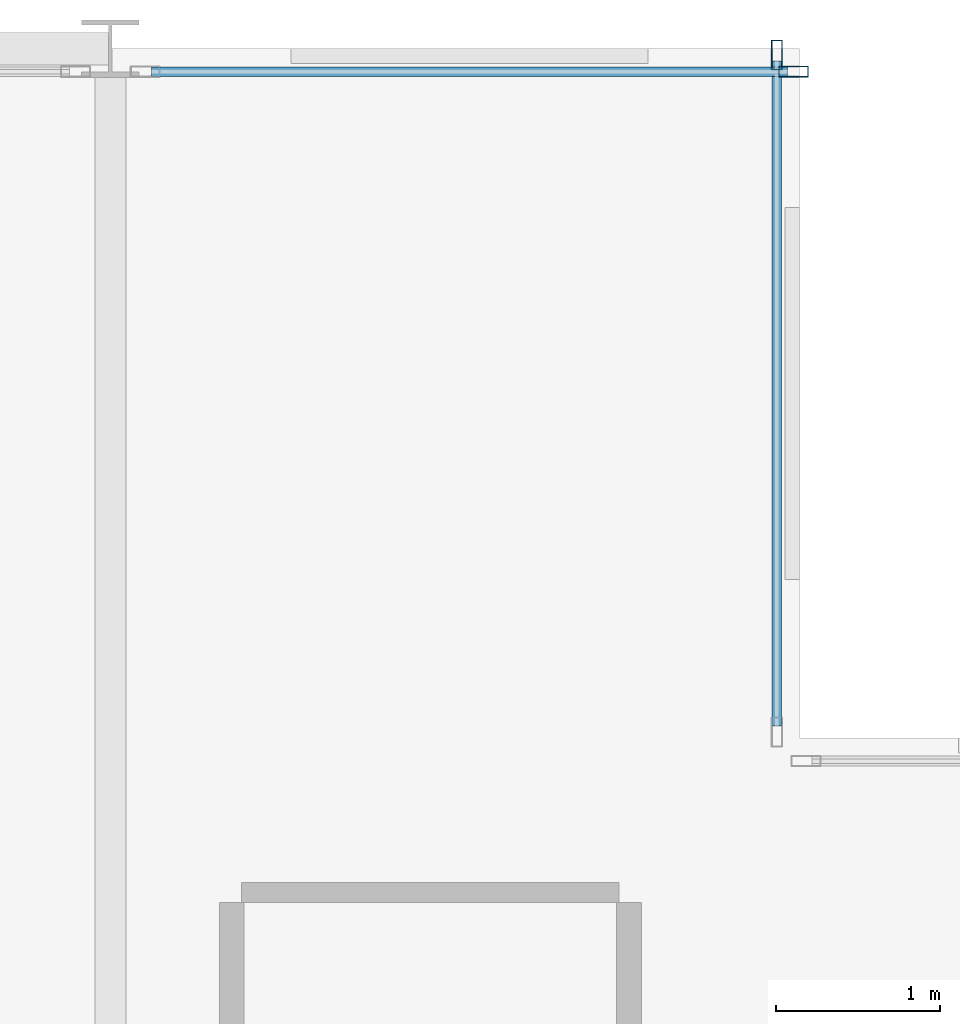
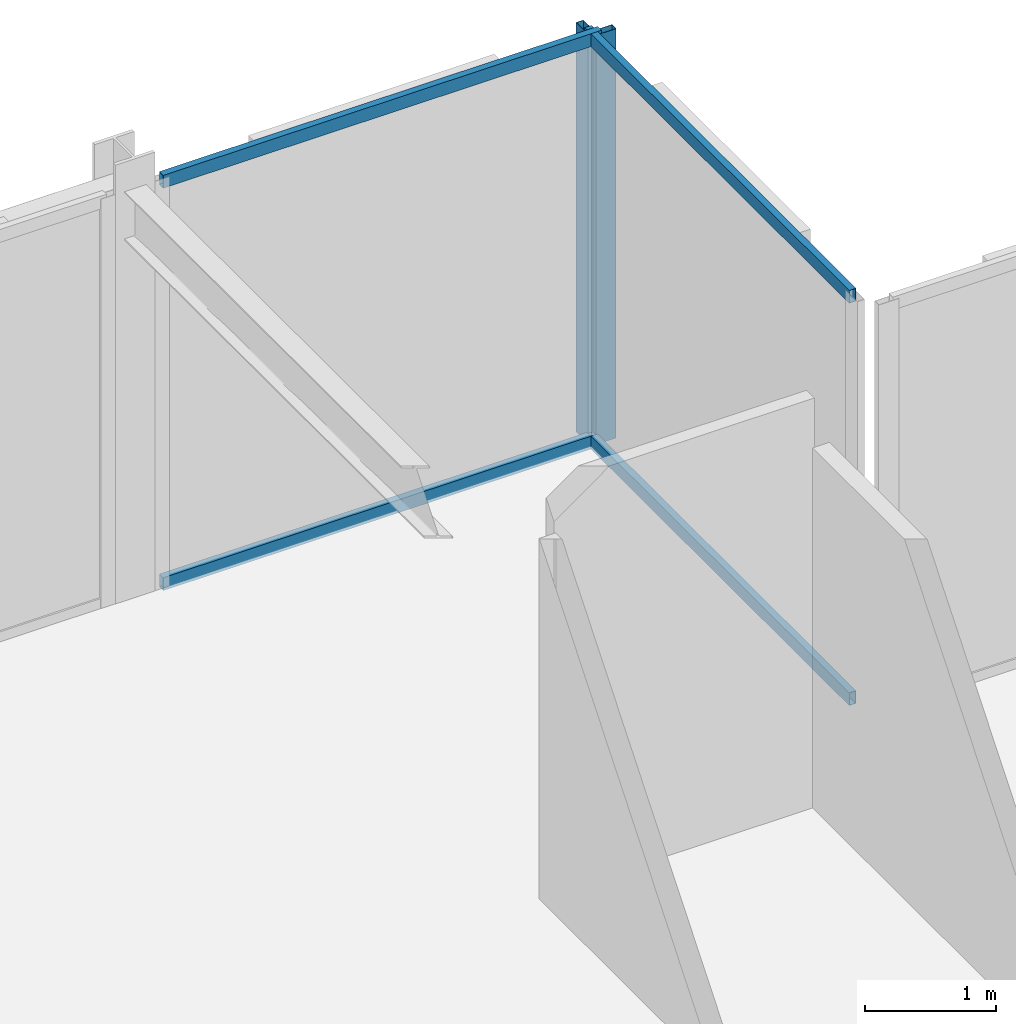
# One storey, part 21 of 29: 6 members, 2 elements without a shape of their own.
"""IFC4 building model written with IfcOpenShell, lengths in metres."""

from ifc_helpers import new_model, si_unit, direction, frame, origin, origin_2d, place, context, subcontext, project, spatial, hollow_rectangle, extrude, material, layer, layer_set, material_profile, profile_set, type_object, element, aggregate, save


model = new_model("IFC4")

# Units and contexts
model_context = context("Model", 3, precision=1e-05, world=origin(), true_north=direction((0.0, 1.0)))
body_context = subcontext(model_context, "Body", "Model", "MODEL_VIEW")
ifc_project = project(units=[si_unit("LENGTHUNIT", "METRE"), si_unit("AREAUNIT", "SQUARE_METRE"), si_unit("VOLUMEUNIT", "CUBIC_METRE"), si_unit("PLANEANGLEUNIT", "RADIAN"), si_unit("MASSUNIT", "GRAM", prefix="KILO")], contexts=[model_context])

# Site, building, storey
site_placement = place(None, origin())
site = spatial("IfcSite", under=ifc_project, at=site_placement, CompositionType="ELEMENT")
building_placement = place(site_placement, origin())
building = spatial("IfcBuilding", under=site, at=building_placement, Name="Nerrivon Quay Data Exchange", CompositionType="ELEMENT")
storey_placement = place(building_placement, frame((0.0, 0.0, 200.10009765625)))
storey = spatial("IfcBuildingStorey", under=building, at=storey_placement, Name="L47", CompositionType="ELEMENT", Elevation=200.10009765625)

# Curtain wall, member
ifc_material = material(Name="Anodised aluminium 6063-T6", Category="aluminium")
ifc_layer = layer(ifc_material, 0.195068359375)
ifc_layer_set = layer_set([ifc_layer], Name="Anodised aluminium 6063-T6")
curtain_wall_type = type_object("IfcCurtainWallType", Name="CW-SYS-06", PredefinedType="NOTDEFINED", material=ifc_layer_set)
curtain_wall_1_placement = place(storey_placement, origin())
curtain_wall_1 = element("IfcCurtainWall", 1, at=curtain_wall_1_placement, inside=storey, type_object=curtain_wall_type, Name="L47 Unitised Curtain Wall 10", PredefinedType="NOTDEFINED")
ifc_material_profile_1 = material_profile(ifc_material, hollow_rectangle(XDim=0.06494140625, YDim=0.179931640625, WallThickness=0.00341796875, at=origin_2d()), Name="ALU-MULL-180x65")
ifc_profile_set_1 = profile_set([ifc_material_profile_1], Name="Anodised aluminium 6063-T6")
member_type_1 = type_object("IfcMemberType", Name="CWM-180x65", PredefinedType="MULLION", material=ifc_profile_set_1)
member_1_placement = place(storey_placement, frame((20.96240234375, 50.260009765625, 0.0), z_axis=(0.0, 0.0, 1.0), x_axis=(0.0, 1.0, 0.0)))
member_1 = element("IfcMember", 2, at=member_1_placement, type_object=member_type_1, Name="CW06 mullion 2", PredefinedType="MULLION", context=body_context, shape_type="SweptSolid", body=[
    extrude(hollow_rectangle(XDim=0.06494140625, YDim=0.179931640625, WallThickness=0.00341796875, at=origin_2d()), origin(), (0.0, 0.0, 1.0), 3.824951171875),
])

curtain_wall_2_placement = place(storey_placement, origin())
curtain_wall_2 = element("IfcCurtainWall", 3, at=curtain_wall_2_placement, inside=storey, type_object=curtain_wall_type, Name="L47 Unitised Curtain Wall 11", PredefinedType="NOTDEFINED")
member_2_placement = place(storey_placement, frame((20.860107421875, 50.362548828125, 0.0), z_axis=(0.0, 0.0, 1.0), x_axis=(1.0, 0.0, 0.0)))
member_2 = element("IfcMember", 4, at=member_2_placement, type_object=member_type_1, Name="CW06 mullion 1", PredefinedType="MULLION", context=body_context, shape_type="SweptSolid", body=[
    extrude(hollow_rectangle(XDim=0.06494140625, YDim=0.179931640625, WallThickness=0.00341796875, at=origin_2d()), origin(), (0.0, 0.0, 1.0), 3.824951171875),
])

# Member
ifc_material_profile_2 = material_profile(ifc_material, hollow_rectangle(XDim=0.06005859375, YDim=0.1201171875, WallThickness=0.003173828125, at=origin_2d()), Name="ALU-TRAN-120x60")
ifc_profile_set_2 = profile_set([ifc_material_profile_2], Name="Anodised aluminium 6063-T6")
member_type_2 = type_object("IfcMemberType", Name="CWT-120x60", PredefinedType="USERDEFINED", material=ifc_profile_set_2)
member_3_placement = place(storey_placement, frame((17.050048828125, 50.260009765625, 0.032470703125), z_axis=(1.0, 0.0, 0.0), x_axis=(0.0, 1.0, 0.0)))
member_3 = element("IfcMember", 5, at=member_3_placement, type_object=member_type_2, Name="CW06 transom 1.1", ObjectType="TRANSOM", PredefinedType="USERDEFINED", context=body_context, shape_type="SweptSolid", body=[
    extrude(hollow_rectangle(XDim=0.06005859375, YDim=0.1201171875, WallThickness=0.003173828125, at=origin_2d()), origin(), (0.0, 0.0, 1.0), 3.875),
])

member_4_placement = place(storey_placement, frame((17.050048828125, 50.260009765625, 3.79248046875), z_axis=(1.0, 0.0, 0.0), x_axis=(0.0, 1.0, 0.0)))
member_4 = element("IfcMember", 6, at=member_4_placement, type_object=member_type_2, Name="CW06 transom 1.2", ObjectType="TRANSOM", PredefinedType="USERDEFINED", context=body_context, shape_type="SweptSolid", body=[
    extrude(hollow_rectangle(XDim=0.06005859375, YDim=0.1201171875, WallThickness=0.003173828125, at=origin_2d()), origin(), (0.0, 0.0, 1.0), 3.875),
])

aggregate(curtain_wall_1, [member_1, member_3, member_4])

member_5_placement = place(storey_placement, frame((20.860107421875, 50.324951171875, 0.032470703125), z_axis=(0.0, -1.0, 0.0), x_axis=(1.0, 0.0, 0.0)))
member_5 = element("IfcMember", 7, at=member_5_placement, type_object=member_type_2, Name="CW06 transom 1.1", ObjectType="TRANSOM", PredefinedType="USERDEFINED", context=body_context, shape_type="SweptSolid", body=[
    extrude(hollow_rectangle(XDim=0.06005859375, YDim=0.1201171875, WallThickness=0.003173828125, at=origin_2d()), origin(), (0.0, 0.0, 1.0), 4.050048828125),
])

member_6_placement = place(storey_placement, frame((20.860107421875, 50.324951171875, 3.79248046875), z_axis=(0.0, -1.0, 0.0), x_axis=(1.0, 0.0, 0.0)))
member_6 = element("IfcMember", 8, at=member_6_placement, type_object=member_type_2, Name="CW06 transom 1.2", ObjectType="TRANSOM", PredefinedType="USERDEFINED", context=body_context, shape_type="SweptSolid", body=[
    extrude(hollow_rectangle(XDim=0.06005859375, YDim=0.1201171875, WallThickness=0.003173828125, at=origin_2d()), origin(), (0.0, 0.0, 1.0), 4.050048828125),
])

aggregate(curtain_wall_2, [member_2, member_5, member_6])

save(model, "model.ifc")
